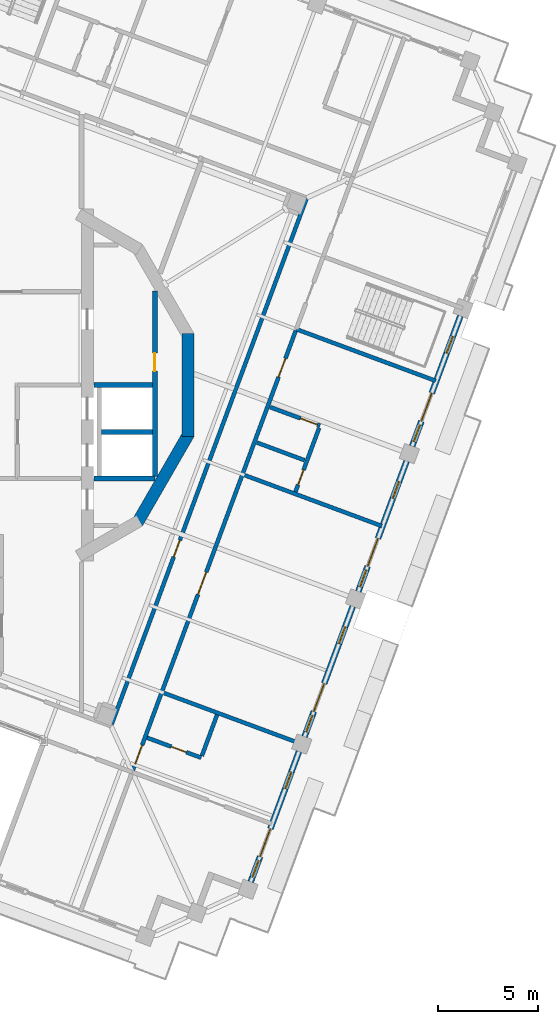
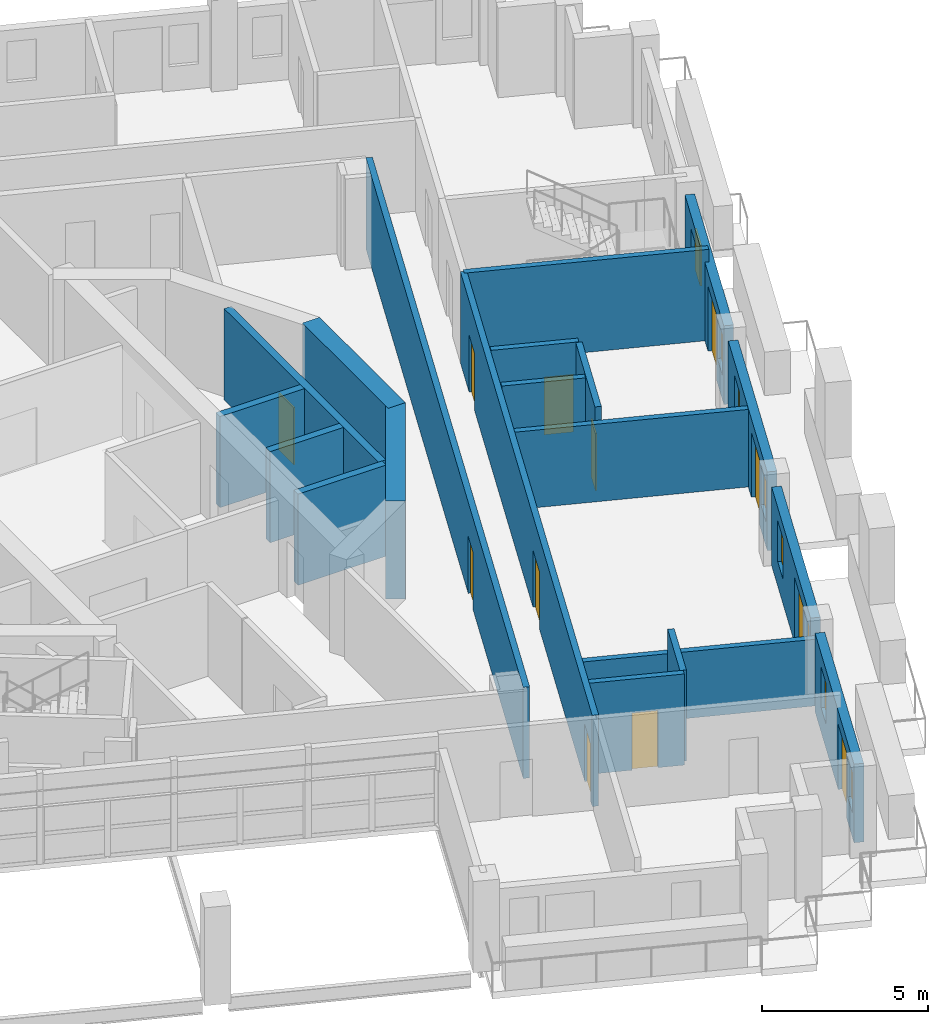
# One storey, part 8 of 19: 20 walls, 12 doors, 8 windows, 20 openings.
"""IFC4 building model written with IfcOpenShell, lengths in metres."""

from ifc_helpers import new_model, si_unit, direction, frame, frame_2d, origin, place, context, subcontext, project, spatial, rectangle, extrude, material, layer, layer_set, type_object, element, fill, save


model = new_model("IFC4")

# Units and contexts
model_context = context("Model", 3, precision=1e-05, world=origin(), true_north=direction((0.0, 1.0)))
body_context = subcontext(model_context, "Body", "Model", "MODEL_VIEW")
ifc_project = project(units=[si_unit("LENGTHUNIT", "METRE"), si_unit("AREAUNIT", "SQUARE_METRE"), si_unit("VOLUMEUNIT", "CUBIC_METRE"), si_unit("PLANEANGLEUNIT", "RADIAN"), si_unit("MASSUNIT", "GRAM", prefix="KILO")], contexts=[model_context])

# Site, building, storey
site_placement = place(None, origin())
site = spatial("IfcSite", under=ifc_project, at=site_placement, CompositionType="ELEMENT")
building_placement = place(site_placement, origin())
building = spatial("IfcBuilding", under=site, at=building_placement, Name="Cantera Rosa Tower", CompositionType="ELEMENT")
storey_placement = place(building_placement, frame((0.0, 0.0, 324.10009765625)))
storey = spatial("IfcBuildingStorey", under=building, at=storey_placement, Name="L72", CompositionType="ELEMENT", Elevation=324.10009765625)

# Wall, opening, door
ifc_material_1 = material(Name="Gypsum board partition")
ifc_layer_1 = layer(ifc_material_1, 0.199951171875)
ifc_layer_set_1 = layer_set([ifc_layer_1], Name="CORRIDOR WALL 200 H3350")
wall_type_1 = type_object("IfcWallType", Name="CORRIDOR WALL 200 H3350", PredefinedType="PARTITIONING", material=ifc_layer_set_1)
wall_1_placement = place(storey_placement, frame((5.526123046875, -17.031494140625, 0.0), z_axis=(0.0, 0.0, 1.0), x_axis=(0.347486069264, 0.937685145274, 0.0)))
wall_1 = element("IfcWall", 1, at=wall_1_placement, inside=storey, type_object=wall_type_1, Name="CORRIDOR WALL L72-077", PredefinedType="PARTITIONING", context=body_context, shape_type="SweptSolid", body=[
    extrude(rectangle(XDim=28.199951171875, YDim=0.199951171875, at=frame_2d((14.10009765625, 0.0))), origin(), (0.0, 0.0, 1.0), 3.349853515625),
])
opening_1_placement = place(wall_1_placement, frame((8.96240234375, 0.0, 0.0)))
opening_1 = element("IfcOpeningElement", 2, at=opening_1_placement, cuts=wall_1, Name="Opening L72-007", PredefinedType="OPENING", context=body_context, shape_type="SweptSolid", body=[
    extrude(rectangle(XDim=0.89990234375, YDim=2.10009765625, at=frame_2d((0.449951171875, 1.050048828125))), frame((0.0, 0.10986328125, 0.0), z_axis=(0.0, -1.0, 0.0), x_axis=(1.0, 0.0, 0.0)), (0.0, 0.0, 1.0), 0.219970703125),
])
ifc_material_2 = material(Name="Timber door leaf", Category="wood")
door_type_1 = type_object("IfcDoorType", Name="SERVICE DOOR 900x2100", OperationType="NOTDEFINED", PredefinedType="DOOR", material=ifc_material_2)
door_1_placement = place(opening_1_placement, origin())
door_1 = element("IfcDoor", 3, at=door_1_placement, inside=storey, type_object=door_type_1, Name="DOOR L72-007", OperationType="NOTDEFINED", OverallHeight=2.10009765625, OverallWidth=0.89990234375, PredefinedType="DOOR", context=body_context, shape_type="SweptSolid", body=[
    extrude(rectangle(XDim=0.89990234375, YDim=2.10009765625, at=frame_2d((0.449951171875, 1.050048828125))), frame((0.0, 0.02490234375, 0.0), z_axis=(0.0, -1.0, 0.0), x_axis=(1.0, 0.0, 0.0)), (0.0, 0.0, 1.0), 0.050048828125),
])
fill(opening_1, door_1)

# Wall, openings, doors
wall_2_placement = place(storey_placement, frame((6.588623046875, -19.3447265625, 0.0), z_axis=(0.0, 0.0, 1.0), x_axis=(0.347480582136, 0.937687178668, 0.0)))
wall_2 = element("IfcWall", 4, at=wall_2_placement, inside=storey, type_object=wall_type_1, Name="CORRIDOR WALL L72-082", PredefinedType="PARTITIONING", context=body_context, shape_type="SweptSolid", body=[
    extrude(rectangle(XDim=23.6298828125, YDim=0.199951171875, at=frame_2d((11.81494140625, 0.0))), origin(), (0.0, 0.0, 1.0), 3.349853515625),
])
opening_2_placement = place(wall_2_placement, frame((9.4150390625, 0.0, 0.0)))
opening_2 = element("IfcOpeningElement", 5, at=opening_2_placement, cuts=wall_2, Name="Opening L72-039", PredefinedType="OPENING", context=body_context, shape_type="SweptSolid", body=[
    extrude(rectangle(XDim=1.199951171875, YDim=2.10009765625, at=frame_2d((0.60009765625, 1.050048828125))), frame((0.0, 0.10986328125, 0.0), z_axis=(0.0, -1.0, 0.0), x_axis=(1.0, 0.0, 0.0)), (0.0, 0.0, 1.0), 0.219970703125),
])
opening_3_placement = place(wall_2_placement, frame((21.06494140625, 0.0, 0.0)))
opening_3 = element("IfcOpeningElement", 6, at=opening_3_placement, cuts=wall_2, Name="Opening L72-040", PredefinedType="OPENING", context=body_context, shape_type="SweptSolid", body=[
    extrude(rectangle(XDim=1.0, YDim=2.10009765625, at=frame_2d((0.5, 1.050048828125))), frame((0.0, 0.10986328125, 0.0), z_axis=(0.0, -1.0, 0.0), x_axis=(1.0, 0.0, 0.0)), (0.0, 0.0, 1.0), 0.219970703125),
])
opening_4_placement = place(wall_2_placement, frame((0.340087890625, 0.0, 0.0)))
opening_4 = element("IfcOpeningElement", 7, at=opening_4_placement, cuts=wall_2, Name="Opening L72-043", PredefinedType="OPENING", context=body_context, shape_type="SweptSolid", body=[
    extrude(rectangle(XDim=1.0, YDim=2.10009765625, at=frame_2d((0.5, 1.050048828125))), frame((0.0, 0.10986328125, 0.0), z_axis=(0.0, -1.0, 0.0), x_axis=(1.0, 0.0, 0.0)), (0.0, 0.0, 1.0), 0.219970703125),
])
ifc_material_3 = material(Name="Timber door leaf", Category="wood")
door_type_2 = type_object("IfcDoorType", Name="ENTRANCE DOOR 1000x2100", OperationType="NOTDEFINED", PredefinedType="DOOR", material=ifc_material_3)
door_2_placement = place(opening_3_placement, origin())
door_2 = element("IfcDoor", 8, at=door_2_placement, inside=storey, type_object=door_type_2, Name="DOOR L72-040", OperationType="NOTDEFINED", OverallHeight=2.10009765625, OverallWidth=1.0, PredefinedType="DOOR", context=body_context, shape_type="SweptSolid", body=[
    extrude(rectangle(XDim=1.0, YDim=2.10009765625, at=frame_2d((0.5, 1.050048828125))), frame((0.0, 0.02490234375, 0.0), z_axis=(0.0, -1.0, 0.0), x_axis=(1.0, 0.0, 0.0)), (0.0, 0.0, 1.0), 0.050048828125),
])
fill(opening_3, door_2)
door_3_placement = place(opening_4_placement, origin())
door_3 = element("IfcDoor", 9, at=door_3_placement, inside=storey, type_object=door_type_2, Name="DOOR L72-043", OperationType="NOTDEFINED", OverallHeight=2.10009765625, OverallWidth=1.0, PredefinedType="DOOR", context=body_context, shape_type="SweptSolid", body=[
    extrude(rectangle(XDim=1.0, YDim=2.10009765625, at=frame_2d((0.5, 1.050048828125))), frame((0.0, 0.02490234375, 0.0), z_axis=(0.0, -1.0, 0.0), x_axis=(1.0, 0.0, 0.0)), (0.0, 0.0, 1.0), 0.050048828125),
])
fill(opening_4, door_3)
ifc_material_4 = material(Name="Timber door leaf", Category="wood")
door_type_3 = type_object("IfcDoorType", Name="ROOM DOOR 1200x2100", OperationType="NOTDEFINED", PredefinedType="DOOR", material=ifc_material_4)
door_4_placement = place(opening_2_placement, origin())
door_4 = element("IfcDoor", 10, at=door_4_placement, inside=storey, type_object=door_type_3, Name="DOOR L72-039", OperationType="NOTDEFINED", OverallHeight=2.10009765625, OverallWidth=1.199951171875, PredefinedType="DOOR", context=body_context, shape_type="SweptSolid", body=[
    extrude(rectangle(XDim=1.199951171875, YDim=2.10009765625, at=frame_2d((0.60009765625, 1.050048828125))), frame((0.0, 0.02490234375, 0.0), z_axis=(0.0, -1.0, 0.0), x_axis=(1.0, 0.0, 0.0)), (0.0, 0.0, 1.0), 0.050048828125),
])
fill(opening_2, door_4)

# Wall, openings, windows, door
ifc_material_5 = material(Name="Hollow clay masonry with cantera stone cladding", Category="masonry")
ifc_layer_2 = layer(ifc_material_5, 0.300048828125)
ifc_layer_set_2 = layer_set([ifc_layer_2], Name="EW-LOGGIA 300 H2890")
wall_type_2 = type_object("IfcWallType", Name="EW-LOGGIA 300 H2890", PredefinedType="SOLIDWALL", material=ifc_layer_set_2)
wall_3_placement = place(storey_placement, frame((12.50927734375, -24.95166015625, 0.0), z_axis=(0.0, 0.0, 1.0), x_axis=(0.347490919506, 0.937683347864, 0.0)))
wall_3 = element("IfcWall", 11, at=wall_3_placement, inside=storey, type_object=wall_type_2, Name="EN-L72-W20", PredefinedType="SOLIDWALL", context=body_context, shape_type="SweptSolid", body=[
    extrude(rectangle(XDim=6.980224609375, YDim=0.300048828125, at=frame_2d((3.490234375, 0.0))), origin(), (0.0, 0.0, 1.0), 2.889892578125),
])
opening_5_placement = place(wall_3_placement, frame((0.2451171875, 0.0, 0.89990234375)))
opening_5 = element("IfcOpeningElement", 12, at=opening_5_placement, cuts=wall_3, Name="Opening L72-W34", PredefinedType="OPENING", context=body_context, shape_type="SweptSolid", body=[
    extrude(rectangle(XDim=0.89990234375, YDim=1.5, at=frame_2d((0.449951171875, 0.75))), frame((0.0, 0.159912109375, 0.0), z_axis=(0.0, -1.0, 0.0), x_axis=(1.0, 0.0, 0.0)), (0.0, 0.0, 1.0), 0.320068359375),
])
opening_6_placement = place(wall_3_placement, frame((1.344970703125, 0.0, 0.0)))
opening_6 = element("IfcOpeningElement", 13, at=opening_6_placement, cuts=wall_3, Name="Opening L72-TD35", PredefinedType="OPENING", context=body_context, shape_type="SweptSolid", body=[
    extrude(rectangle(XDim=1.5, YDim=2.39990234375, at=frame_2d((0.75, 1.199951171875))), frame((0.0, 0.159912109375, 0.0), z_axis=(0.0, -1.0, 0.0), x_axis=(1.0, 0.0, 0.0)), (0.0, 0.0, 1.0), 0.320068359375),
])
opening_7_placement = place(wall_3_placement, frame((4.985107421875, 0.0, 0.89990234375)))
opening_7 = element("IfcOpeningElement", 14, at=opening_7_placement, cuts=wall_3, Name="Opening L72-W36", PredefinedType="OPENING", context=body_context, shape_type="SweptSolid", body=[
    extrude(rectangle(XDim=0.89990234375, YDim=1.5, at=frame_2d((0.449951171875, 0.75))), frame((0.0, 0.159912109375, 0.0), z_axis=(0.0, -1.0, 0.0), x_axis=(1.0, 0.0, 0.0)), (0.0, 0.0, 1.0), 0.320068359375),
])
ifc_material_6 = material(Name="Aluminium frame with clear glass", Category="aluminium")
window_type = type_object("IfcWindowType", Name="Residential window 900x1500", PartitioningType="SINGLE_PANEL", PredefinedType="WINDOW", material=ifc_material_6)
window_1_placement = place(opening_5_placement, origin())
window_1 = element("IfcWindow", 15, at=window_1_placement, inside=storey, type_object=window_type, Name="WINDOW L72-W34", OverallHeight=1.5, OverallWidth=0.89990234375, PartitioningType="SINGLE_PANEL", PredefinedType="WINDOW", context=body_context, shape_type="SweptSolid", body=[
    extrude(rectangle(XDim=0.89990234375, YDim=1.5, at=frame_2d((0.449951171875, 0.75))), frame((0.0, 0.030029296875, 0.0), z_axis=(0.0, -1.0, 0.0), x_axis=(1.0, 0.0, 0.0)), (0.0, 0.0, 1.0), 0.06005859375),
])
fill(opening_5, window_1)
window_2_placement = place(opening_7_placement, origin())
window_2 = element("IfcWindow", 16, at=window_2_placement, inside=storey, type_object=window_type, Name="WINDOW L72-W36", OverallHeight=1.5, OverallWidth=0.89990234375, PartitioningType="SINGLE_PANEL", PredefinedType="WINDOW", context=body_context, shape_type="SweptSolid", body=[
    extrude(rectangle(XDim=0.89990234375, YDim=1.5, at=frame_2d((0.449951171875, 0.75))), frame((0.0, 0.030029296875, 0.0), z_axis=(0.0, -1.0, 0.0), x_axis=(1.0, 0.0, 0.0)), (0.0, 0.0, 1.0), 0.06005859375),
])
fill(opening_7, window_2)
ifc_material_7 = material(Name="Aluminium frame with clear glass", Category="aluminium")
door_type_4 = type_object("IfcDoorType", Name="TD-R 1500x2400", OperationType="NOTDEFINED", PredefinedType="DOOR", material=ifc_material_7)
door_5_placement = place(opening_6_placement, origin())
door_5 = element("IfcDoor", 17, at=door_5_placement, inside=storey, type_object=door_type_4, Name="LOGGIA DOOR L72-TD35", OperationType="SLIDING_TO_LEFT", OverallHeight=2.39990234375, OverallWidth=1.5, PredefinedType="DOOR", context=body_context, shape_type="SweptSolid", body=[
    extrude(rectangle(XDim=1.5, YDim=2.39990234375, at=frame_2d((0.75, 1.199951171875))), frame((0.0, 0.02490234375, 0.0), z_axis=(0.0, -1.0, 0.0), x_axis=(1.0, 0.0, 0.0)), (0.0, 0.0, 1.0), 0.050048828125),
])
fill(opening_6, door_5)

wall_4_placement = place(storey_placement, frame((15.212646484375, -17.65625, 0.0), z_axis=(0.0, 0.0, 1.0), x_axis=(0.347502316452, 0.937679124253, 0.0)))
wall_4 = element("IfcWall", 18, at=wall_4_placement, inside=storey, type_object=wall_type_2, Name="EN-L72-W21", PredefinedType="SOLIDWALL", context=body_context, shape_type="SweptSolid", body=[
    extrude(rectangle(XDim=6.97998046875, YDim=0.300048828125, at=frame_2d((3.489990234375, 0.0))), origin(), (0.0, 0.0, 1.0), 2.889892578125),
])
opening_8_placement = place(wall_4_placement, frame((0.2451171875, 0.0, 0.89990234375)))
opening_8 = element("IfcOpeningElement", 19, at=opening_8_placement, cuts=wall_4, Name="Opening L72-W37", PredefinedType="OPENING", context=body_context, shape_type="SweptSolid", body=[
    extrude(rectangle(XDim=0.89990234375, YDim=1.5, at=frame_2d((0.449951171875, 0.75))), frame((0.0, 0.159912109375, 0.0), z_axis=(0.0, -1.0, 0.0), x_axis=(1.0, 0.0, 0.0)), (0.0, 0.0, 1.0), 0.320068359375),
])
opening_9_placement = place(wall_4_placement, frame((1.344970703125, 0.0, 0.0)))
opening_9 = element("IfcOpeningElement", 20, at=opening_9_placement, cuts=wall_4, Name="Opening L72-TD38", PredefinedType="OPENING", context=body_context, shape_type="SweptSolid", body=[
    extrude(rectangle(XDim=1.5, YDim=2.39990234375, at=frame_2d((0.75, 1.199951171875))), frame((0.0, 0.159912109375, 0.0), z_axis=(0.0, -1.0, 0.0), x_axis=(1.0, 0.0, 0.0)), (0.0, 0.0, 1.0), 0.320068359375),
])
opening_10_placement = place(wall_4_placement, frame((4.985107421875, 0.0, 0.89990234375)))
opening_10 = element("IfcOpeningElement", 21, at=opening_10_placement, cuts=wall_4, Name="Opening L72-W39", PredefinedType="OPENING", context=body_context, shape_type="SweptSolid", body=[
    extrude(rectangle(XDim=0.89990234375, YDim=1.5, at=frame_2d((0.449951171875, 0.75))), frame((0.0, 0.159912109375, 0.0), z_axis=(0.0, -1.0, 0.0), x_axis=(1.0, 0.0, 0.0)), (0.0, 0.0, 1.0), 0.320068359375),
])
window_3_placement = place(opening_8_placement, origin())
window_3 = element("IfcWindow", 22, at=window_3_placement, inside=storey, type_object=window_type, Name="WINDOW L72-W37", OverallHeight=1.5, OverallWidth=0.89990234375, PartitioningType="SINGLE_PANEL", PredefinedType="WINDOW", context=body_context, shape_type="SweptSolid", body=[
    extrude(rectangle(XDim=0.89990234375, YDim=1.5, at=frame_2d((0.449951171875, 0.75))), frame((0.0, 0.030029296875, 0.0), z_axis=(0.0, -1.0, 0.0), x_axis=(1.0, 0.0, 0.0)), (0.0, 0.0, 1.0), 0.06005859375),
])
fill(opening_8, window_3)
window_4_placement = place(opening_10_placement, origin())
window_4 = element("IfcWindow", 23, at=window_4_placement, inside=storey, type_object=window_type, Name="WINDOW L72-W39", OverallHeight=1.5, OverallWidth=0.89990234375, PartitioningType="SINGLE_PANEL", PredefinedType="WINDOW", context=body_context, shape_type="SweptSolid", body=[
    extrude(rectangle(XDim=0.89990234375, YDim=1.5, at=frame_2d((0.449951171875, 0.75))), frame((0.0, 0.030029296875, 0.0), z_axis=(0.0, -1.0, 0.0), x_axis=(1.0, 0.0, 0.0)), (0.0, 0.0, 1.0), 0.06005859375),
])
fill(opening_10, window_4)
door_6_placement = place(opening_9_placement, origin())
door_6 = element("IfcDoor", 24, at=door_6_placement, inside=storey, type_object=door_type_4, Name="LOGGIA DOOR L72-TD38", OperationType="SLIDING_TO_LEFT", OverallHeight=2.39990234375, OverallWidth=1.5, PredefinedType="DOOR", context=body_context, shape_type="SweptSolid", body=[
    extrude(rectangle(XDim=1.5, YDim=2.39990234375, at=frame_2d((0.75, 1.199951171875))), frame((0.0, 0.02490234375, 0.0), z_axis=(0.0, -1.0, 0.0), x_axis=(1.0, 0.0, 0.0)), (0.0, 0.0, 1.0), 0.050048828125),
])
fill(opening_9, door_6)

wall_5_placement = place(storey_placement, frame((17.916015625, -10.361083984375, 0.0), z_axis=(0.0, 0.0, 1.0), x_axis=(0.347502316452, 0.937679124253, 0.0)))
wall_5 = element("IfcWall", 25, at=wall_5_placement, inside=storey, type_object=wall_type_2, Name="EN-L72-W22", PredefinedType="SOLIDWALL", context=body_context, shape_type="SweptSolid", body=[
    extrude(rectangle(XDim=6.97998046875, YDim=0.300048828125, at=frame_2d((3.489990234375, 0.0))), origin(), (0.0, 0.0, 1.0), 2.889892578125),
])
opening_11_placement = place(wall_5_placement, frame((0.2451171875, 0.0, 0.89990234375)))
opening_11 = element("IfcOpeningElement", 26, at=opening_11_placement, cuts=wall_5, Name="Opening L72-W40", PredefinedType="OPENING", context=body_context, shape_type="SweptSolid", body=[
    extrude(rectangle(XDim=0.89990234375, YDim=1.5, at=frame_2d((0.449951171875, 0.75))), frame((0.0, 0.159912109375, 0.0), z_axis=(0.0, -1.0, 0.0), x_axis=(1.0, 0.0, 0.0)), (0.0, 0.0, 1.0), 0.320068359375),
])
opening_12_placement = place(wall_5_placement, frame((1.344970703125, 0.0, 0.0)))
opening_12 = element("IfcOpeningElement", 27, at=opening_12_placement, cuts=wall_5, Name="Opening L72-TD41", PredefinedType="OPENING", context=body_context, shape_type="SweptSolid", body=[
    extrude(rectangle(XDim=1.5, YDim=2.39990234375, at=frame_2d((0.75, 1.199951171875))), frame((0.0, 0.159912109375, 0.0), z_axis=(0.0, -1.0, 0.0), x_axis=(1.0, 0.0, 0.0)), (0.0, 0.0, 1.0), 0.320068359375),
])
opening_13_placement = place(wall_5_placement, frame((4.985107421875, 0.0, 0.89990234375)))
opening_13 = element("IfcOpeningElement", 28, at=opening_13_placement, cuts=wall_5, Name="Opening L72-W42", PredefinedType="OPENING", context=body_context, shape_type="SweptSolid", body=[
    extrude(rectangle(XDim=0.89990234375, YDim=1.5, at=frame_2d((0.449951171875, 0.75))), frame((0.0, 0.159912109375, 0.0), z_axis=(0.0, -1.0, 0.0), x_axis=(1.0, 0.0, 0.0)), (0.0, 0.0, 1.0), 0.320068359375),
])
window_5_placement = place(opening_11_placement, origin())
window_5 = element("IfcWindow", 29, at=window_5_placement, inside=storey, type_object=window_type, Name="WINDOW L72-W40", OverallHeight=1.5, OverallWidth=0.89990234375, PartitioningType="SINGLE_PANEL", PredefinedType="WINDOW", context=body_context, shape_type="SweptSolid", body=[
    extrude(rectangle(XDim=0.89990234375, YDim=1.5, at=frame_2d((0.449951171875, 0.75))), frame((0.0, 0.030029296875, 0.0), z_axis=(0.0, -1.0, 0.0), x_axis=(1.0, 0.0, 0.0)), (0.0, 0.0, 1.0), 0.06005859375),
])
fill(opening_11, window_5)
window_6_placement = place(opening_13_placement, origin())
window_6 = element("IfcWindow", 30, at=window_6_placement, inside=storey, type_object=window_type, Name="WINDOW L72-W42", OverallHeight=1.5, OverallWidth=0.89990234375, PartitioningType="SINGLE_PANEL", PredefinedType="WINDOW", context=body_context, shape_type="SweptSolid", body=[
    extrude(rectangle(XDim=0.89990234375, YDim=1.5, at=frame_2d((0.449951171875, 0.75))), frame((0.0, 0.030029296875, 0.0), z_axis=(0.0, -1.0, 0.0), x_axis=(1.0, 0.0, 0.0)), (0.0, 0.0, 1.0), 0.06005859375),
])
fill(opening_13, window_6)
door_7_placement = place(opening_12_placement, origin())
door_7 = element("IfcDoor", 31, at=door_7_placement, inside=storey, type_object=door_type_4, Name="LOGGIA DOOR L72-TD41", OperationType="SLIDING_TO_LEFT", OverallHeight=2.39990234375, OverallWidth=1.5, PredefinedType="DOOR", context=body_context, shape_type="SweptSolid", body=[
    extrude(rectangle(XDim=1.5, YDim=2.39990234375, at=frame_2d((0.75, 1.199951171875))), frame((0.0, 0.02490234375, 0.0), z_axis=(0.0, -1.0, 0.0), x_axis=(1.0, 0.0, 0.0)), (0.0, 0.0, 1.0), 0.050048828125),
])
fill(opening_12, door_7)

wall_6_placement = place(storey_placement, frame((20.61962890625, -3.06591796875, 0.0), z_axis=(0.0, 0.0, 1.0), x_axis=(0.347471562124, 0.937690521182, 0.0)))
wall_6 = element("IfcWall", 32, at=wall_6_placement, inside=storey, type_object=wall_type_2, Name="EN-L72-W23", PredefinedType="SOLIDWALL", context=body_context, shape_type="SweptSolid", body=[
    extrude(rectangle(XDim=6.979736328125, YDim=0.300048828125, at=frame_2d((3.48974609375, 0.0))), origin(), (0.0, 0.0, 1.0), 2.889892578125),
])
opening_14_placement = place(wall_6_placement, frame((0.2451171875, 0.0, 0.89990234375)))
opening_14 = element("IfcOpeningElement", 33, at=opening_14_placement, cuts=wall_6, Name="Opening L72-W43", PredefinedType="OPENING", context=body_context, shape_type="SweptSolid", body=[
    extrude(rectangle(XDim=0.89990234375, YDim=1.5, at=frame_2d((0.449951171875, 0.75))), frame((0.0, 0.159912109375, 0.0), z_axis=(0.0, -1.0, 0.0), x_axis=(1.0, 0.0, 0.0)), (0.0, 0.0, 1.0), 0.320068359375),
])
opening_15_placement = place(wall_6_placement, frame((1.344970703125, 0.0, 0.0)))
opening_15 = element("IfcOpeningElement", 34, at=opening_15_placement, cuts=wall_6, Name="Opening L72-TD44", PredefinedType="OPENING", context=body_context, shape_type="SweptSolid", body=[
    extrude(rectangle(XDim=1.5, YDim=2.39990234375, at=frame_2d((0.75, 1.199951171875))), frame((0.0, 0.159912109375, 0.0), z_axis=(0.0, -1.0, 0.0), x_axis=(1.0, 0.0, 0.0)), (0.0, 0.0, 1.0), 0.320068359375),
])
opening_16_placement = place(wall_6_placement, frame((4.985107421875, 0.0, 0.89990234375)))
opening_16 = element("IfcOpeningElement", 35, at=opening_16_placement, cuts=wall_6, Name="Opening L72-W45", PredefinedType="OPENING", context=body_context, shape_type="SweptSolid", body=[
    extrude(rectangle(XDim=0.89990234375, YDim=1.5, at=frame_2d((0.449951171875, 0.75))), frame((0.0, 0.159912109375, 0.0), z_axis=(0.0, -1.0, 0.0), x_axis=(1.0, 0.0, 0.0)), (0.0, 0.0, 1.0), 0.320068359375),
])
window_7_placement = place(opening_14_placement, origin())
window_7 = element("IfcWindow", 36, at=window_7_placement, inside=storey, type_object=window_type, Name="WINDOW L72-W43", OverallHeight=1.5, OverallWidth=0.89990234375, PartitioningType="SINGLE_PANEL", PredefinedType="WINDOW", context=body_context, shape_type="SweptSolid", body=[
    extrude(rectangle(XDim=0.89990234375, YDim=1.5, at=frame_2d((0.449951171875, 0.75))), frame((0.0, 0.030029296875, 0.0), z_axis=(0.0, -1.0, 0.0), x_axis=(1.0, 0.0, 0.0)), (0.0, 0.0, 1.0), 0.06005859375),
])
fill(opening_14, window_7)
window_8_placement = place(opening_16_placement, origin())
window_8 = element("IfcWindow", 37, at=window_8_placement, inside=storey, type_object=window_type, Name="WINDOW L72-W45", OverallHeight=1.5, OverallWidth=0.89990234375, PartitioningType="SINGLE_PANEL", PredefinedType="WINDOW", context=body_context, shape_type="SweptSolid", body=[
    extrude(rectangle(XDim=0.89990234375, YDim=1.5, at=frame_2d((0.449951171875, 0.75))), frame((0.0, 0.030029296875, 0.0), z_axis=(0.0, -1.0, 0.0), x_axis=(1.0, 0.0, 0.0)), (0.0, 0.0, 1.0), 0.06005859375),
])
fill(opening_16, window_8)
door_8_placement = place(opening_15_placement, origin())
door_8 = element("IfcDoor", 38, at=door_8_placement, inside=storey, type_object=door_type_4, Name="LOGGIA DOOR L72-TD44", OperationType="SLIDING_TO_LEFT", OverallHeight=2.39990234375, OverallWidth=1.5, PredefinedType="DOOR", context=body_context, shape_type="SweptSolid", body=[
    extrude(rectangle(XDim=1.5, YDim=2.39990234375, at=frame_2d((0.75, 1.199951171875))), frame((0.0, 0.02490234375, 0.0), z_axis=(0.0, -1.0, 0.0), x_axis=(1.0, 0.0, 0.0)), (0.0, 0.0, 1.0), 0.050048828125),
])
fill(opening_15, door_8)

# Wall, opening, door
ifc_material_8 = material(Name="Gypsum board partition")
ifc_layer_3 = layer(ifc_material_8, 0.199951171875)
ifc_layer_set_3 = layer_set([ifc_layer_3], Name="PARTITION 200 H3350")
wall_type_3 = type_object("IfcWallType", Name="PARTITION 200 H3350", PredefinedType="PARTITIONING", material=ifc_layer_set_3)
wall_7_placement = place(storey_placement, frame((10.020263671875, -18.71826171875, 0.0), z_axis=(0.0, 0.0, 1.0), x_axis=(-0.937681724156, 0.347495300953, 0.0)))
wall_7 = element("IfcWall", 39, at=wall_7_placement, inside=storey, type_object=wall_type_3, Name="PARTITION L72-088", PredefinedType="PARTITIONING", context=body_context, shape_type="SweptSolid", body=[
    extrude(rectangle(XDim=2.900146484375, YDim=0.199951171875, at=frame_2d((1.4501953125, 0.0))), origin(), (0.0, 0.0, 1.0), 3.349853515625),
])
opening_17_placement = place(wall_7_placement, frame((0.800048828125, 0.0, 0.0)))
opening_17 = element("IfcOpeningElement", 40, at=opening_17_placement, cuts=wall_7, Name="Opening L72-044", PredefinedType="OPENING", context=body_context, shape_type="SweptSolid", body=[
    extrude(rectangle(XDim=0.800048828125, YDim=2.10009765625, at=frame_2d((0.39990234375, 1.050048828125))), frame((0.0, 0.10986328125, 0.0), z_axis=(0.0, -1.0, 0.0), x_axis=(1.0, 0.0, 0.0)), (0.0, 0.0, 1.0), 0.219970703125),
])
ifc_material_9 = material(Name="Timber door leaf", Category="wood")
door_type_5 = type_object("IfcDoorType", Name="BATHROOM DOOR 800x2100", OperationType="NOTDEFINED", PredefinedType="DOOR", material=ifc_material_9)
door_9_placement = place(opening_17_placement, origin())
door_9 = element("IfcDoor", 41, at=door_9_placement, inside=storey, type_object=door_type_5, Name="DOOR L72-044", OperationType="NOTDEFINED", OverallHeight=2.10009765625, OverallWidth=0.800048828125, PredefinedType="DOOR", context=body_context, shape_type="SweptSolid", body=[
    extrude(rectangle(XDim=0.800048828125, YDim=2.10009765625, at=frame_2d((0.39990234375, 1.050048828125))), frame((0.0, 0.02490234375, 0.0), z_axis=(0.0, -1.0, 0.0), x_axis=(1.0, 0.0, 0.0)), (0.0, 0.0, 1.0), 0.050048828125),
])
fill(opening_17, door_9)

# Walls
wall_8_placement = place(storey_placement, frame((10.8193359375, -16.5615234375, 0.0), z_axis=(0.0, 0.0, 1.0), x_axis=(-0.347448078893, -0.937699222818, 0.0)))
element("IfcWall", 42, at=wall_8_placement, inside=storey, type_object=wall_type_3, Name="PARTITION L72-090", PredefinedType="PARTITIONING", context=body_context, shape_type="SweptSolid", body=[
    extrude(rectangle(XDim=2.199951171875, YDim=0.199951171875, at=frame_2d((1.10009765625, 0.0))), origin(), (0.0, 0.0, 1.0), 3.349853515625),
])
wall_9_placement = place(storey_placement, frame((12.81689453125, -2.88330078125, 0.0), z_axis=(0.0, 0.0, 1.0), x_axis=(0.937701583571, -0.347441707582, 0.0)))
element("IfcWall", 43, at=wall_9_placement, inside=storey, type_object=wall_type_3, Name="PARTITION L72-093", PredefinedType="PARTITIONING", context=body_context, shape_type="SweptSolid", body=[
    extrude(rectangle(XDim=2.559814453125, YDim=0.199951171875, at=frame_2d((1.27978515625, 0.0))), origin(), (0.0, 0.0, 1.0), 3.349853515625),
])

# Wall, opening, door
wall_10_placement = place(storey_placement, frame((13.47705078125, -1.1015625, 0.0), z_axis=(0.0, 0.0, 1.0), x_axis=(0.937666318029, -0.347536870036, 0.0)))
wall_10 = element("IfcWall", 44, at=wall_10_placement, inside=storey, type_object=wall_type_3, Name="PARTITION L72-094", PredefinedType="PARTITIONING", context=body_context, shape_type="SweptSolid", body=[
    extrude(rectangle(XDim=2.679931640625, YDim=0.199951171875, at=frame_2d((1.33984375, 0.0))), origin(), (0.0, 0.0, 1.0), 3.349853515625),
])
opening_18_placement = place(wall_10_placement, frame((1.6298828125, 0.0, 0.0)))
opening_18 = element("IfcOpeningElement", 45, at=opening_18_placement, cuts=wall_10, Name="Opening L72-042", PredefinedType="OPENING", context=body_context, shape_type="SweptSolid", body=[
    extrude(rectangle(XDim=0.89990234375, YDim=2.10009765625, at=frame_2d((0.449951171875, 1.050048828125))), frame((0.0, 0.10986328125, 0.0), z_axis=(0.0, -1.0, 0.0), x_axis=(1.0, 0.0, 0.0)), (0.0, 0.0, 1.0), 0.219970703125),
])
ifc_material_10 = material(Name="Timber door leaf", Category="wood")
door_type_6 = type_object("IfcDoorType", Name="ROOM DOOR 900x2100", OperationType="NOTDEFINED", PredefinedType="DOOR", material=ifc_material_10)
door_10_placement = place(opening_18_placement, origin())
door_10 = element("IfcDoor", 46, at=door_10_placement, inside=storey, type_object=door_type_6, Name="DOOR L72-042", OperationType="NOTDEFINED", OverallHeight=2.10009765625, OverallWidth=0.89990234375, PredefinedType="DOOR", context=body_context, shape_type="SweptSolid", body=[
    extrude(rectangle(XDim=0.89990234375, YDim=2.10009765625, at=frame_2d((0.449951171875, 1.050048828125))), frame((0.0, 0.02490234375, 0.0), z_axis=(0.0, -1.0, 0.0), x_axis=(1.0, 0.0, 0.0)), (0.0, 0.0, 1.0), 0.050048828125),
])
fill(opening_18, door_10)

wall_11_placement = place(storey_placement, frame((15.9482421875, -2.1455078125, 0.0), z_axis=(0.0, 0.0, 1.0), x_axis=(-0.347485895919, -0.937685209512, 0.0)))
wall_11 = element("IfcWall", 47, at=wall_11_placement, inside=storey, type_object=wall_type_3, Name="PARTITION L72-100", PredefinedType="PARTITIONING", context=body_context, shape_type="SweptSolid", body=[
    extrude(rectangle(XDim=3.429931640625, YDim=0.199951171875, at=frame_2d((1.71484375, 0.0))), origin(), (0.0, 0.0, 1.0), 3.349853515625),
])
opening_19_placement = place(wall_11_placement, frame((2.2548828125, 0.0, 0.0)))
opening_19 = element("IfcOpeningElement", 48, at=opening_19_placement, cuts=wall_11, Name="Opening L72-041", PredefinedType="OPENING", context=body_context, shape_type="SweptSolid", body=[
    extrude(rectangle(XDim=0.800048828125, YDim=2.10009765625, at=frame_2d((0.39990234375, 1.050048828125))), frame((0.0, 0.10986328125, 0.0), z_axis=(0.0, -1.0, 0.0), x_axis=(1.0, 0.0, 0.0)), (0.0, 0.0, 1.0), 0.219970703125),
])
door_11_placement = place(opening_19_placement, origin())
door_11 = element("IfcDoor", 49, at=door_11_placement, inside=storey, type_object=door_type_5, Name="DOOR L72-041", OperationType="NOTDEFINED", OverallHeight=2.10009765625, OverallWidth=0.800048828125, PredefinedType="DOOR", context=body_context, shape_type="SweptSolid", body=[
    extrude(rectangle(XDim=0.800048828125, YDim=2.10009765625, at=frame_2d((0.39990234375, 1.050048828125))), frame((0.0, 0.02490234375, 0.0), z_axis=(0.0, -1.0, 0.0), x_axis=(1.0, 0.0, 0.0)), (0.0, 0.0, 1.0), 0.050048828125),
])
fill(opening_19, door_11)

# Walls
ifc_material_11 = material(Name="Gypsum board partition")
ifc_layer_4 = layer(ifc_material_11, 0.199951171875)
ifc_layer_set_4 = layer_set([ifc_layer_4], Name="PARTY WALL 200 H2450")
wall_type_4 = type_object("IfcWallType", Name="PARTY WALL 200 H2450", PredefinedType="PARTITIONING", material=ifc_layer_set_4)
wall_12_placement = place(storey_placement, frame((15.045654296875, -18.02099609375, 0.0), z_axis=(0.0, 0.0, 1.0), x_axis=(-0.937689847803, 0.347473379308, 0.0)))
element("IfcWall", 50, at=wall_12_placement, inside=storey, type_object=wall_type_4, Name="PARTY WALL L72-098", PredefinedType="PARTITIONING", context=body_context, shape_type="SweptSolid", body=[
    extrude(rectangle(XDim=7.35009765625, YDim=0.199951171875, at=frame_2d((3.675048828125, 0.0))), origin(), (0.0, 0.0, 1.0), 2.449951171875),
])
ifc_material_12 = material(Name="Gypsum board partition")
ifc_layer_5 = layer(ifc_material_12, 0.199951171875)
ifc_layer_set_5 = layer_set([ifc_layer_5], Name="PARTY WALL 200 H2850")
wall_type_5 = type_object("IfcWallType", Name="PARTY WALL 200 H2850", PredefinedType="PARTITIONING", material=ifc_layer_set_5)
wall_13_placement = place(storey_placement, frame((12.208740234375, -4.524169921875, 0.0), z_axis=(0.0, 0.0, 1.0), x_axis=(0.937685837181, -0.347484202159, 0.0)))
element("IfcWall", 51, at=wall_13_placement, inside=storey, type_object=wall_type_5, Name="PARTY WALL L72-092", PredefinedType="PARTITIONING", context=body_context, shape_type="SweptSolid", body=[
    extrude(rectangle(XDim=7.349853515625, YDim=0.199951171875, at=frame_2d((3.6748046875, 0.0))), origin(), (0.0, 0.0, 1.0), 2.849853515625),
])
ifc_material_13 = material(Name="Concrete C50/60", Category="concrete")
ifc_layer_6 = layer(ifc_material_13, 0.60009765625)
ifc_layer_set_6 = layer_set([ifc_layer_6], Name="RC CORE WALL 600 C50/60")
wall_type_6 = type_object("IfcWallType", Name="RC CORE WALL 600 C50/60", PredefinedType="SHEAR", material=ifc_layer_set_6)
for number, where, z_axis, x_axis, name in (
    (52, (9.359375, 2.588134765625, 0.0), (0.0, 0.0, 1.0), (0.0, -1.0, 0.0), "CW-E3 L72"),
    (53, (9.3994140625, -2.438232421875, 0.0), (0.0, 0.0, 1.0), (-0.499989188378, -0.866031645787, 0.0), "CW-E4 L72"),
):
    element("IfcWall", number, at=place(storey_placement, frame(where, z_axis=z_axis, x_axis=x_axis)), inside=storey, type_object=wall_type_6, Name=name, PredefinedType="SHEAR", context=body_context, shape_type="SweptSolid", body=[
        extrude(rectangle(XDim=5.17626953125, YDim=0.60009765625, at=frame_2d((2.588134765625, 0.0))), origin(), (0.0, 0.0, 1.0), 3.599853515625),
    ])
ifc_material_14 = material(Name="Masonry blockwork", Category="masonry")
ifc_layer_7 = layer(ifc_material_14, 0.25)
ifc_layer_set_7 = layer_set([ifc_layer_7], Name="SHAFT WALL 250 H3350")
wall_type_7 = type_object("IfcWallType", Name="SHAFT WALL 250 H3350", PredefinedType="SOLIDWALL", material=ifc_layer_set_7)
wall_14_placement = place(storey_placement, frame((4.6298828125, 0.0, 0.0), z_axis=(0.0, 0.0, 1.0), x_axis=(1.0, 0.0, 0.0)))
element("IfcWall", 54, at=wall_14_placement, inside=storey, type_object=wall_type_7, Name="SHAFT WALL L72-073", PredefinedType="SOLIDWALL", context=body_context, shape_type="SweptSolid", body=[
    extrude(rectangle(XDim=2.945068359375, YDim=0.25, at=frame_2d((1.47265625, 0.0))), origin(), (0.0, 0.0, 1.0), 3.349853515625),
])
wall_15_placement = place(storey_placement, frame((7.699951171875, -4.699951171875, 0.0), z_axis=(0.0, 0.0, 1.0), x_axis=(-1.0, 0.0, 0.0)))
element("IfcWall", 55, at=wall_15_placement, inside=storey, type_object=wall_type_7, Name="SHAFT WALL L72-083", PredefinedType="SOLIDWALL", context=body_context, shape_type="SweptSolid", body=[
    extrude(rectangle(XDim=3.070068359375, YDim=0.25, at=frame_2d((1.53515625, 0.0))), origin(), (0.0, 0.0, 1.0), 3.349853515625),
])

# Wall, opening, door
wall_16_placement = place(storey_placement, frame((7.699951171875, -4.580078125, 0.0), z_axis=(0.0, 0.0, 1.0), x_axis=(0.0, 1.0, 0.0)))
wall_16 = element("IfcWall", 56, at=wall_16_placement, inside=storey, type_object=wall_type_7, Name="SHAFT WALL L72-084", PredefinedType="SOLIDWALL", context=body_context, shape_type="SweptSolid", body=[
    extrude(rectangle(XDim=9.3017578125, YDim=0.25, at=frame_2d((4.65087890625, 0.0))), origin(), (0.0, 0.0, 1.0), 3.349853515625),
])
opening_20_placement = place(wall_16_placement, frame((5.2900390625, 0.0, 0.0)))
opening_20 = element("IfcOpeningElement", 57, at=opening_20_placement, cuts=wall_16, Name="Opening L72-049", PredefinedType="OPENING", context=body_context, shape_type="SweptSolid", body=[
    extrude(rectangle(XDim=0.89990234375, YDim=2.10009765625, at=frame_2d((0.449951171875, 1.050048828125))), frame((0.0, 0.135009765625, 0.0), z_axis=(0.0, -1.0, 0.0), x_axis=(1.0, 0.0, 0.0)), (0.0, 0.0, 1.0), 0.27001953125),
])
door_12_placement = place(opening_20_placement, origin())
door_12 = element("IfcDoor", 58, at=door_12_placement, inside=storey, type_object=door_type_1, Name="RISER DOOR L72-049", OperationType="NOTDEFINED", OverallHeight=2.10009765625, OverallWidth=0.89990234375, PredefinedType="DOOR", context=body_context, shape_type="SweptSolid", body=[
    extrude(rectangle(XDim=0.89990234375, YDim=2.10009765625, at=frame_2d((0.449951171875, 1.050048828125))), frame((0.0, 0.02490234375, 0.0), z_axis=(0.0, -1.0, 0.0), x_axis=(1.0, 0.0, 0.0)), (0.0, 0.0, 1.0), 0.050048828125),
])
fill(opening_20, door_12)

# Walls
wall_17_placement = place(storey_placement, frame((7.574951171875, -2.35009765625, 0.0), z_axis=(0.0, 0.0, 1.0), x_axis=(-1.0, 0.0, 0.0)))
element("IfcWall", 59, at=wall_17_placement, inside=storey, type_object=wall_type_7, Name="SHAFT WALL L72-085", PredefinedType="SOLIDWALL", context=body_context, shape_type="SweptSolid", body=[
    extrude(rectangle(XDim=2.554931640625, YDim=0.25, at=frame_2d((1.27734375, 0.0))), origin(), (0.0, 0.0, 1.0), 3.349853515625),
])
ifc_material_15 = material(Name="Concrete C50/60", Category="concrete")
ifc_layer_8 = layer(ifc_material_15, 0.199951171875)
ifc_layer_set_8 = layer_set([ifc_layer_8], Name="STAIR WALL 200 H3350")
wall_type_8 = type_object("IfcWallType", Name="STAIR WALL 200 H3350", PredefinedType="SOLIDWALL", material=ifc_layer_set_8)
wall_18_placement = place(storey_placement, frame((14.799560546875, 2.812744140625, 0.0), z_axis=(0.0, 0.0, 1.0), x_axis=(0.93768803379, -0.347478274555, 0.0)))
element("IfcWall", 60, at=wall_18_placement, inside=storey, type_object=wall_type_8, Name="STAIR WALL L72-097", PredefinedType="SOLIDWALL", context=body_context, shape_type="SweptSolid", body=[
    extrude(rectangle(XDim=7.47021484375, YDim=0.199951171875, at=frame_2d((3.735107421875, 0.0))), origin(), (0.0, 0.0, 1.0), 3.349853515625),
])

save(model, "model.ifc")
